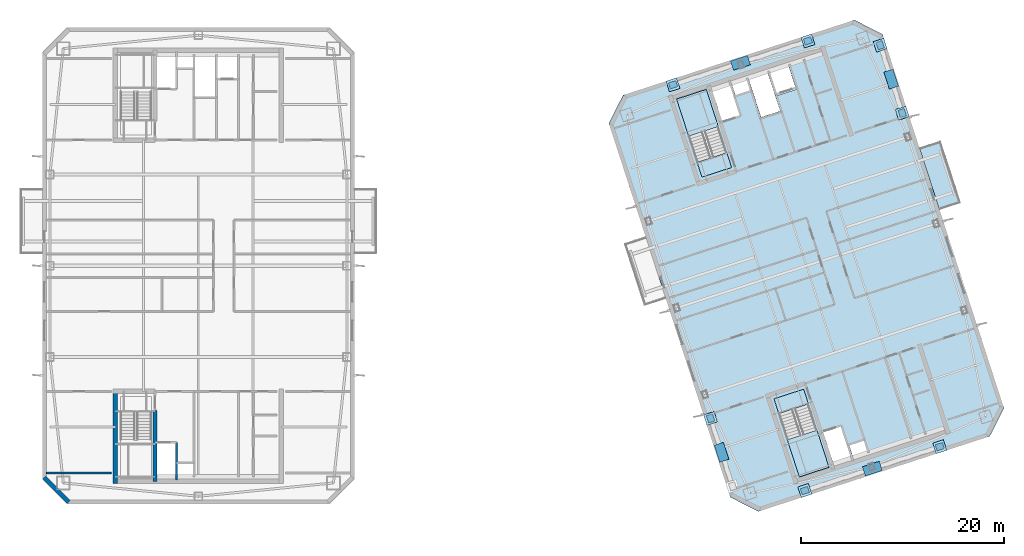
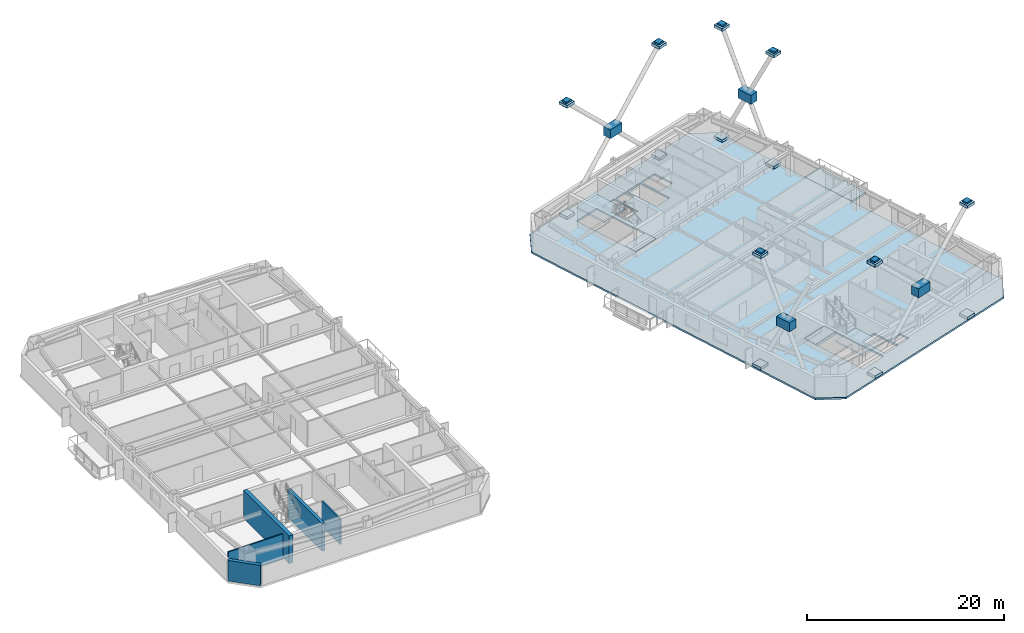
# One storey, part 5 of 18: 25 plates, 6 slabs, 5 walls, 2 elements without a shape of their own.
"""IFC4 building model written with IfcOpenShell, lengths in metres."""

from ifc_helpers import new_model, si_unit, direction, frame, frame_2d, origin, origin_2d, place, context, subcontext, project, spatial, polyline, rectangle, outline, extrude, material, layer, layer_set, type_object, element, aggregate, save


model = new_model("IFC4")

# Units and contexts
model_context = context("Model", 3, precision=1e-05, world=origin(), true_north=direction((0.0, 1.0)))
body_context = subcontext(model_context, "Body", "Model", "MODEL_VIEW")
ifc_project = project(units=[si_unit("LENGTHUNIT", "METRE"), si_unit("AREAUNIT", "SQUARE_METRE"), si_unit("VOLUMEUNIT", "CUBIC_METRE"), si_unit("PLANEANGLEUNIT", "RADIAN"), si_unit("MASSUNIT", "GRAM", prefix="KILO")], contexts=[model_context])

# Site, building, storey
site_placement = place(None, origin())
site = spatial("IfcSite", under=ifc_project, at=site_placement, CompositionType="ELEMENT")
building_placement = place(site_placement, origin())
building = spatial("IfcBuilding", under=site, at=building_placement, Name="Qiaolan Cultural Towers", CompositionType="ELEMENT")
storey_placement = place(building_placement, frame((0.0, 0.0, 226.550048828125)))
storey = spatial("IfcBuildingStorey", under=building, at=storey_placement, Name="L61", CompositionType="ELEMENT", Elevation=226.550048828125)

# Plates
ifc_material_1 = material(Name="Steel Q355B", Category="steel")
ifc_layer_1 = layer(ifc_material_1, 0.035888671875)
ifc_layer_set_1 = layer_set([ifc_layer_1], Name="Steel Q355B")
plate_type_1 = type_object("IfcPlateType", Name="PL-CONN-36", PredefinedType="USERDEFINED", material=ifc_layer_set_1)
for number, where, z_axis, x_axis, name in (
    (1, (80.540771484375, 18.93994140625, 13.580078125), (0.0, 0.0, 1.0), (-0.309016994375, 0.951056516295, 0.0), "L61 Brace End Connection Gusset Plate GP-02-0588"),
    (2, (97.280517578125, 55.76513671875, 13.580078125), (0.0, 0.0, 1.0), (-0.309016994375, 0.951056516295, 0.0), "L61 Brace End Connection Gusset Plate GP-02-0590"),
    (3, (99.459228515625, 49.06005859375, 13.580078125), (0.0, 0.0, 1.0), (-0.309016994375, 0.951056516295, 0.0), "L61 Brace End Connection Gusset Plate GP-02-0591"),
    (4, (103.162109375, 16.143310546875, 13.580078125), (0.0, 0.0, 1.0), (0.951056510902, 0.309017010974, 0.0), "L61 Brace End Connection Gusset Plate GP-02-0592"),
    (5, (89.847412109375, 11.817138671875, 13.580078125), (0.0, 0.0, 1.0), (0.951056510902, 0.309017010974, 0.0), "L61 Brace End Connection Gusset Plate GP-02-0593"),
    (6, (90.152587890625, 56.182861328125, 13.580078125), (0.0, 0.0, 1.0), (0.951056510902, 0.309017010974, 0.0), "L61 Brace End Connection Gusset Plate GP-02-0594"),
    (7, (76.837890625, 51.856689453125, 13.580078125), (0.0, 0.0, 1.0), (0.951056510902, 0.309017010974, 0.0), "L61 Brace End Connection Gusset Plate GP-02-0595"),
):
    element("IfcPlate", number, at=place(storey_placement, frame(where, z_axis=z_axis, x_axis=x_axis)), inside=storey, type_object=plate_type_1, Name=name, ObjectType="GUSSET_PLATE", PredefinedType="USERDEFINED", context=body_context, shape_type="SweptSolid", body=[
        extrude(rectangle(XDim=0.739990234375, YDim=0.6201171875, at=origin_2d()), origin(), (0.0, 0.0, 1.0), 0.739990234375),
    ])
ifc_material_2 = material(Name="Steel Q355B", Category="steel")
ifc_layer_2 = layer(ifc_material_2, 0.030029296875)
ifc_layer_set_2 = layer_set([ifc_layer_2], Name="Steel Q355B")
plate_type_2 = type_object("IfcPlateType", Name="PL-ENDCAP-30", PredefinedType="USERDEFINED", material=ifc_layer_set_2)
for number, where, z_axis, x_axis, name in (
    (8, (80.540771484375, 18.93994140625, -0.025146484375), (0.0, 0.0, 1.0), (-0.309016994375, 0.951056516295, 0.0), "Hollow Brace End Seal Cap Plate CP-01"),
    (9, (80.540771484375, 18.93994140625, 13.77490234375), (0.0, 0.0, 1.0), (-0.309016994375, 0.951056516295, 0.0), "Hollow Brace End Seal Cap Plate CP-01"),
    (10, (99.459228515625, 49.06005859375, -0.025146484375), (0.0, 0.0, 1.0), (-0.309016994375, 0.951056516295, 0.0), "Hollow Brace End Seal Cap Plate CP-01"),
    (11, (97.280517578125, 55.76513671875, -0.025146484375), (0.0, 0.0, 1.0), (-0.309016994375, 0.951056516295, 0.0), "Hollow Brace End Seal Cap Plate CP-01"),
    (12, (99.459228515625, 49.06005859375, 13.77490234375), (0.0, 0.0, 1.0), (-0.309016994375, 0.951056516295, 0.0), "Hollow Brace End Seal Cap Plate CP-01"),
    (13, (97.280517578125, 55.76513671875, 13.77490234375), (0.0, 0.0, 1.0), (-0.309016994375, 0.951056516295, 0.0), "Hollow Brace End Seal Cap Plate CP-01"),
    (14, (89.847412109375, 11.817138671875, -0.025146484375), (0.0, 0.0, 1.0), (0.951056516295, 0.309016994375, 0.0), "Hollow Brace End Seal Cap Plate CP-01"),
    (15, (103.162109375, 16.143310546875, -0.025146484375), (0.0, 0.0, 1.0), (0.951056516295, 0.309016994375, 0.0), "Hollow Brace End Seal Cap Plate CP-01"),
    (16, (89.847412109375, 11.817138671875, 13.77490234375), (0.0, 0.0, 1.0), (0.951056516295, 0.309016994375, 0.0), "Hollow Brace End Seal Cap Plate CP-01"),
    (17, (103.162109375, 16.143310546875, 13.77490234375), (0.0, 0.0, 1.0), (0.951056516295, 0.309016994375, 0.0), "Hollow Brace End Seal Cap Plate CP-01"),
    (18, (76.837890625, 51.856689453125, -0.025146484375), (0.0, 0.0, 1.0), (0.951056516295, 0.309016994375, 0.0), "Hollow Brace End Seal Cap Plate CP-01"),
    (19, (90.152587890625, 56.182861328125, -0.025146484375), (0.0, 0.0, 1.0), (0.951056516295, 0.309016994375, 0.0), "Hollow Brace End Seal Cap Plate CP-01"),
    (20, (76.837890625, 51.856689453125, 13.77490234375), (0.0, 0.0, 1.0), (0.951056516295, 0.309016994375, 0.0), "Hollow Brace End Seal Cap Plate CP-01"),
    (21, (90.152587890625, 56.182861328125, 13.77490234375), (0.0, 0.0, 1.0), (0.951056516295, 0.309016994375, 0.0), "Hollow Brace End Seal Cap Plate CP-01"),
):
    element("IfcPlate", number, at=place(storey_placement, frame(where, z_axis=z_axis, x_axis=x_axis)), inside=storey, type_object=plate_type_2, Name=name, ObjectType="BASE_PLATE", PredefinedType="USERDEFINED", context=body_context, shape_type="SweptSolid", body=[
        extrude(rectangle(XDim=1.10009765625, YDim=1.10009765625, at=origin_2d()), origin(), (0.0, 0.0, 1.0), 0.35009765625),
    ])
ifc_material_3 = material(Name="Steel Q390GJB", Category="steel")
ifc_layer_3 = layer(ifc_material_3, 0.0439453125)
ifc_layer_set_3 = layer_set([ifc_layer_3], Name="Steel Q390GJB")
plate_type_3 = type_object("IfcPlateType", Name="PL-NODE-ND02", PredefinedType="USERDEFINED", material=ifc_layer_set_3)
plate_1_placement = place(storey_placement, frame((81.630126953125, 15.58740234375, 6.5), z_axis=(0.0, 0.0, 1.0), x_axis=(-0.309016994375, 0.951056516295, 0.0)))
element("IfcPlate", 22, at=plate_1_placement, inside=storey, type_object=plate_type_3, Name="Perimeter Frame Gusset Node Assembly ND-02", ObjectType="GUSSET_PLATE", PredefinedType="USERDEFINED", context=body_context, shape_type="SweptSolid", body=[
    extrude(rectangle(XDim=1.760009765625, YDim=0.9599609375, at=origin_2d()), origin(), (0.0, 0.0, 1.0), 1.10009765625),
])
ifc_material_4 = material(Name="Steel Q390GJB", Category="steel")
ifc_layer_4 = layer(ifc_material_4, 0.0458984375)
ifc_layer_set_4 = layer_set([ifc_layer_4], Name="Steel Q390GJB")
plate_type_4 = type_object("IfcPlateType", Name="PL-NODE-ND03", PredefinedType="USERDEFINED", material=ifc_layer_set_4)
plate_2_placement = place(storey_placement, frame((98.369873046875, 52.41259765625, 6.5), z_axis=(0.0, 0.0, 1.0), x_axis=(-0.309016994375, 0.951056516295, 0.0)))
element("IfcPlate", 23, at=plate_2_placement, inside=storey, type_object=plate_type_4, Name="Perimeter Frame Gusset Node Assembly ND-03", ObjectType="GUSSET_PLATE", PredefinedType="USERDEFINED", context=body_context, shape_type="SweptSolid", body=[
    extrude(rectangle(XDim=1.760009765625, YDim=0.9599609375, at=origin_2d()), origin(), (0.0, 0.0, 1.0), 1.10009765625),
])
ifc_material_5 = material(Name="Steel Q390GJB", Category="steel")
ifc_layer_5 = layer(ifc_material_5, 0.0400390625)
ifc_layer_set_5 = layer_set([ifc_layer_5], Name="Steel Q390GJB")
plate_type_5 = type_object("IfcPlateType", Name="PL-NODE-ND04", PredefinedType="USERDEFINED", material=ifc_layer_set_5)
plate_3_placement = place(storey_placement, frame((96.5048828125, 13.980224609375, 6.5), z_axis=(0.0, 0.0, 1.0), x_axis=(0.951056516295, 0.309016994375, 0.0)))
element("IfcPlate", 24, at=plate_3_placement, inside=storey, type_object=plate_type_5, Name="Perimeter Frame Gusset Node Assembly ND-04", ObjectType="GUSSET_PLATE", PredefinedType="USERDEFINED", context=body_context, shape_type="SweptSolid", body=[
    extrude(rectangle(XDim=1.760009765625, YDim=0.9599609375, at=origin_2d()), origin(), (0.0, 0.0, 1.0), 1.10009765625),
])
ifc_material_6 = material(Name="Steel Q390GJB", Category="steel")
ifc_layer_6 = layer(ifc_material_6, 0.0419921875)
ifc_layer_set_6 = layer_set([ifc_layer_6], Name="Steel Q390GJB")
plate_type_6 = type_object("IfcPlateType", Name="PL-NODE-ND05", PredefinedType="USERDEFINED", material=ifc_layer_set_6)
plate_4_placement = place(storey_placement, frame((83.4951171875, 54.019775390625, 6.5), z_axis=(0.0, 0.0, 1.0), x_axis=(0.951056516295, 0.309016994375, 0.0)))
element("IfcPlate", 25, at=plate_4_placement, inside=storey, type_object=plate_type_6, Name="Perimeter Frame Gusset Node Assembly ND-05", ObjectType="GUSSET_PLATE", PredefinedType="USERDEFINED", context=body_context, shape_type="SweptSolid", body=[
    extrude(rectangle(XDim=1.760009765625, YDim=0.9599609375, at=origin_2d()), origin(), (0.0, 0.0, 1.0), 1.10009765625),
])

# Slab
ifc_material_7 = material(Name="Concrete C45", Category="concrete")
ifc_layer_7 = layer(ifc_material_7, 0.239990234375)
ifc_layer_set_7 = layer_set([ifc_layer_7], Name="Concrete C45")
slab_type_1 = type_object("IfcSlabType", Name="SL-BAL-240", PredefinedType="FLOOR", material=ifc_layer_set_7)
slab_1_placement = place(storey_placement, frame((0.0, 0.0, -0.239990234375)))
element("IfcSlab", 26, at=slab_1_placement, inside=storey, type_object=slab_type_1, Name="L61 T2 Planted Tree Balcony E", PredefinedType="FLOOR", context=body_context, shape_type="SweptSolid", body=[
    extrude(outline(polyline([(103.13427734375, 39.529296875), (105.2265625, 40.209228515625), (103.248779296875, 46.2958984375), (101.156494140625, 45.615966796875), (103.13427734375, 39.529296875)])), origin(), (0.0, 0.0, 1.0), 0.239990234375),
])

# Stair, slab
ifc_material_8 = material(Name="Concrete C45", Category="concrete")
stair_type = type_object("IfcStairType", Name="STR-CORE-1500", PredefinedType="HALF_TURN_STAIR", material=ifc_material_8)
stair_1_placement = place(storey_placement, origin())
stair_1 = element("IfcStair", 27, at=stair_1_placement, inside=storey, type_object=stair_type, Name="L61 Smokeproof Exit Stair ST-E1", PredefinedType="HALF_TURN_STAIR")
ifc_material_9 = material(Name="Concrete C45", Category="concrete")
ifc_layer_8 = layer(ifc_material_9, 0.199951171875)
ifc_layer_set_8 = layer_set([ifc_layer_8], Name="Concrete C45")
slab_type_2 = type_object("IfcSlabType", Name="SL-STAIR-LAND", PredefinedType="LANDING", material=ifc_layer_set_8)
slab_2_placement = place(storey_placement, frame((0.0, 0.0, 1.52490234375)))
slab_2 = element("IfcSlab", 28, at=slab_2_placement, type_object=slab_type_2, Name="ST-E1 landing 1", PredefinedType="LANDING", context=body_context, shape_type="SweptSolid", body=[
    extrude(outline(polyline([(88.114013671875, 16.828125), (89.30419921875, 13.165283203125), (92.2333984375, 14.116943359375), (91.04345703125, 17.77978515625), (88.114013671875, 16.828125)])), origin(), (0.0, 0.0, 1.0), 0.199951171875),
])
aggregate(stair_1, [slab_2])

stair_2_placement = place(storey_placement, origin())
stair_2 = element("IfcStair", 29, at=stair_2_placement, inside=storey, type_object=stair_type, Name="L61 Smokeproof Exit Stair ST-E2", PredefinedType="HALF_TURN_STAIR")
slab_3_placement = place(storey_placement, frame((0.0, 0.0, 1.52490234375)))
slab_3 = element("IfcSlab", 30, at=slab_3_placement, type_object=slab_type_2, Name="ST-E2 landing 1", PredefinedType="LANDING", context=body_context, shape_type="SweptSolid", body=[
    extrude(outline(polyline([(81.31005859375, 47.735595703125), (80.1201171875, 51.3984375), (77.190673828125, 50.44677734375), (78.380859375, 46.783935546875), (81.31005859375, 47.735595703125)])), origin(), (0.0, 0.0, 1.0), 0.199951171875),
])
aggregate(stair_2, [slab_3])

# Slabs
ifc_material_10 = material(Name="Concrete C40", Category="concrete")
ifc_layer_9 = layer(ifc_material_10, 0.360107421875)
ifc_layer_set_9 = layer_set([ifc_layer_9], Name="Concrete C40")
slab_type_3 = type_object("IfcSlabType", Name="SL-STFLR-360", PredefinedType="LANDING", material=ifc_layer_set_9)
slab_4_placement = place(storey_placement, frame((0.0, 0.0, -0.360107421875)))
element("IfcSlab", 31, at=slab_4_placement, inside=storey, type_object=slab_type_3, Name="L61 ST-E1 Stair Floor Landing Slab", PredefinedType="LANDING", context=body_context, shape_type="SweptSolid", body=[
    extrude(outline(polyline([(86.8037109375, 20.867431640625), (87.282470703125, 19.39404296875), (90.2080078125, 20.3447265625), (89.729248046875, 21.818115234375), (86.8037109375, 20.867431640625)])), origin(), (0.0, 0.0, 1.0), 0.360107421875),
])
slab_5_placement = place(storey_placement, frame((0.0, 0.0, -0.360107421875)))
element("IfcSlab", 32, at=slab_5_placement, inside=storey, type_object=slab_type_3, Name="L61 ST-E2 Stair Floor Landing Slab", PredefinedType="LANDING", context=body_context, shape_type="SweptSolid", body=[
    extrude(outline(polyline([(82.62060546875, 43.6962890625), (82.141845703125, 45.169677734375), (79.21630859375, 44.21923828125), (79.695068359375, 42.74560546875), (82.62060546875, 43.6962890625)])), origin(), (0.0, 0.0, 1.0), 0.360107421875),
])
ifc_material_11 = material(Name="Concrete C45", Category="concrete")
ifc_layer_10 = layer(ifc_material_11, 0.219970703125)
ifc_layer_set_10 = layer_set([ifc_layer_10], Name="Concrete C45")
slab_type_4 = type_object("IfcSlabType", Name="SL-TYP-220", PredefinedType="FLOOR", material=ifc_layer_set_10)
slab_6_placement = place(storey_placement, frame((0.0, 0.0, -0.219970703125)))
element("IfcSlab", 33, at=slab_6_placement, inside=storey, type_object=slab_type_4, Name="L61 East Tower Floor Slab", PredefinedType="FLOOR", context=body_context, shape_type="SweptSolid", body=[
    extrude(outline(polyline([(85.26220703125, 9.7490234375), (108.08740234375, 17.165283203125), (109.5, 19.9375), (97.510009765625, 56.838623046875), (94.73779296875, 58.2509765625), (71.91259765625, 50.834716796875), (70.5, 48.0625), (82.489990234375, 11.161376953125), (85.26220703125, 9.7490234375)]), holes=[polyline([(86.80126953125, 20.868896484375), (89.30419921875, 13.165283203125), (92.2333984375, 14.116943359375), (89.73046875, 21.820556640625), (86.80126953125, 20.868896484375)]), polyline([(82.623046875, 43.69482421875), (80.1201171875, 51.3984375), (77.190673828125, 50.44677734375), (79.69384765625, 42.7431640625), (82.623046875, 43.69482421875)]), polyline([(92.666259765625, 14.468017578125), (94.42578125, 15.03955078125), (93.42138671875, 18.130615234375), (91.661865234375, 17.558837890625), (92.666259765625, 14.468017578125)]), polyline([(94.5908203125, 15.14599609375), (96.027099609375, 15.612548828125), (95.66552734375, 16.725341796875), (94.2294921875, 16.258544921875), (94.5908203125, 15.14599609375)]), polyline([(81.6806640625, 48.278076171875), (83.440185546875, 48.849609375), (82.435791015625, 51.940673828125), (80.67626953125, 51.368896484375), (81.6806640625, 48.278076171875)]), polyline([(82.993408203125, 50.839111328125), (84.4296875, 51.3056640625), (84.068115234375, 52.41845703125), (82.632080078125, 51.95166015625), (82.993408203125, 50.839111328125)]), polyline([(87.1455078125, 50.810791015625), (88.990478515625, 51.41015625), (88.22412109375, 53.768798828125), (86.379150390625, 53.169189453125), (87.1455078125, 50.810791015625)]), polyline([(85.5322265625, 48.65673828125), (87.415283203125, 49.2685546875), (86.169921875, 53.101318359375), (84.286865234375, 52.489501953125), (85.5322265625, 48.65673828125)])]), origin(), (0.0, 0.0, 1.0), 0.219970703125),
])

# Walls
ifc_material_12 = material(Name="Concrete C50", Category="concrete")
ifc_layer_11 = layer(ifc_material_12, 0.35009765625)
ifc_layer_set_11 = layer_set([ifc_layer_11], Name="Concrete C50")
wall_type_1 = type_object("IfcWallType", Name="WL-CORE-350", PredefinedType="SHEAR", material=ifc_layer_set_11)
wall_1_placement = place(storey_placement, frame((25.719970703125, 19.699951171875, 0.0), z_axis=(0.0, 0.0, 1.0), x_axis=(0.0, -1.0, 0.0)))
element("IfcWall", 34, at=wall_1_placement, inside=storey, type_object=wall_type_1, Name="L61 T1-CS Stair Core Dividing Web", PredefinedType="SHEAR", context=body_context, shape_type="SweptSolid", body=[
    extrude(rectangle(XDim=6.97998046875, YDim=0.35009765625, at=frame_2d((3.489990234375, 0.0))), origin(), (0.0, 0.0, 1.0), 3.449951171875),
])
ifc_material_13 = material(Name="Concrete C50", Category="concrete")
ifc_layer_12 = layer(ifc_material_13, 0.449951171875)
ifc_layer_set_12 = layer_set([ifc_layer_12], Name="Concrete C50")
wall_type_2 = type_object("IfcWallType", Name="WL-CORE-450", PredefinedType="SHEAR", material=ifc_layer_set_12)
wall_2_placement = place(storey_placement, frame((21.800048828125, 21.824951171875, 0.0), z_axis=(0.0, 0.0, 1.0), x_axis=(0.0, -1.0, 0.0)))
element("IfcWall", 35, at=wall_2_placement, inside=storey, type_object=wall_type_2, Name="L61 T1-CS West Core Shear Wall", PredefinedType="SHEAR", context=body_context, shape_type="SweptSolid", body=[
    extrude(rectangle(XDim=9.329833984375, YDim=0.449951171875, at=frame_2d((4.6650390625, 0.0))), origin(), (0.0, 0.0, 1.0), 3.449951171875),
])
ifc_material_14 = material(Name="Precast Concrete C50 Honed Stone Pier", Category="masonry")
ifc_layer_13 = layer(ifc_material_14, 0.39990234375)
ifc_layer_set_13 = layer_set([ifc_layer_13], Name="Precast Concrete C50 Honed Stone Pier")
wall_type_3 = type_object("IfcWallType", Name="WL-EXT-PIER-400", PredefinedType="SOLIDWALL", material=ifc_layer_set_13)
wall_3_placement = place(storey_placement, frame((17.199951171875, 10.699951171875, 0.0), z_axis=(0.0, 0.0, 1.0), x_axis=(-0.707070815327, 0.707142745217, 0.0)))
element("IfcWall", 36, at=wall_3_placement, inside=storey, type_object=wall_type_3, Name="L61 West Tower Precast Pier Facade Wall F8", PredefinedType="SOLIDWALL", context=body_context, shape_type="SweptSolid", body=[
    extrude(rectangle(XDim=3.39404296875, YDim=0.39990234375, at=frame_2d((1.697021484375, 0.0))), origin(), (0.0, 0.0, 1.0), 2.550048828125),
])
ifc_material_15 = material(Name="Concrete C35 Fire Wall", Category="concrete")
ifc_layer_14 = layer(ifc_material_15, 0.199951171875)
ifc_layer_set_14 = layer_set([ifc_layer_14], Name="Concrete C35 Fire Wall")
wall_type_4 = type_object("IfcWallType", Name="WL-FIRE-200", PredefinedType="PARTITIONING", material=ifc_layer_set_14)
wall_4_placement = place(storey_placement, frame((27.820068359375, 16.550048828125, 0.0), z_axis=(0.0, 0.0, 1.0), x_axis=(0.0, -1.0, 0.0)))
element("IfcWall", 37, at=wall_4_placement, inside=storey, type_object=wall_type_4, Name="L61 T1-CS Firefighting Hoistway East Wall", PredefinedType="PARTITIONING", context=body_context, shape_type="SweptSolid", body=[
    extrude(rectangle(XDim=3.699951171875, YDim=0.199951171875, at=frame_2d((1.85009765625, 0.0))), origin(), (0.0, 0.0, 1.0), 3.155029296875),
])
ifc_material_16 = material(Name="Autoclaved Aerated Concrete Block B06", Category="concrete")
ifc_layer_15 = layer(ifc_material_16, 0.14990234375)
ifc_layer_set_15 = layer_set([ifc_layer_15], Name="Autoclaved Aerated Concrete Block B06")
wall_type_5 = type_object("IfcWallType", Name="WL-PART-150", PredefinedType="PARTITIONING", material=ifc_layer_set_15)
wall_5_placement = place(storey_placement, frame((15.0, 13.550048828125, 0.0), z_axis=(0.0, 0.0, 1.0), x_axis=(1.0, 0.0, 0.0)))
element("IfcWall", 38, at=wall_5_placement, inside=storey, type_object=wall_type_5, Name="L61 T1 Flank Wall FLK-SW", PredefinedType="PARTITIONING", context=body_context, shape_type="SweptSolid", body=[
    extrude(rectangle(XDim=6.39990234375, YDim=0.14990234375, at=frame_2d((3.199951171875, 0.0))), origin(), (0.0, 0.0, 1.0), 3.155029296875),
])

save(model, "model.ifc")
